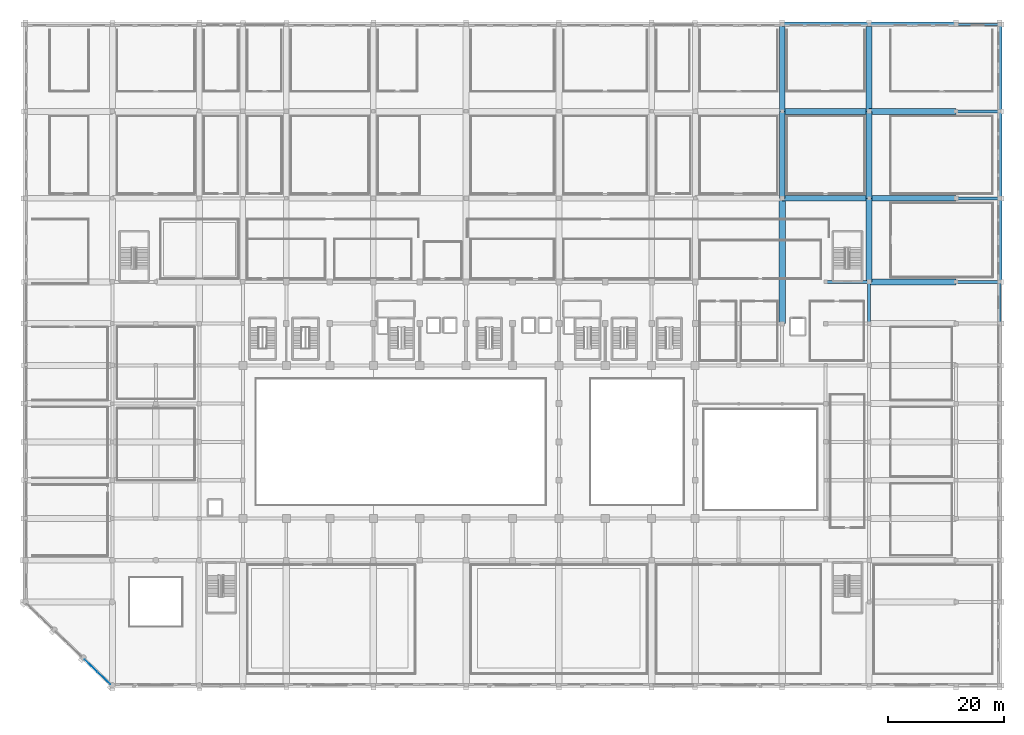
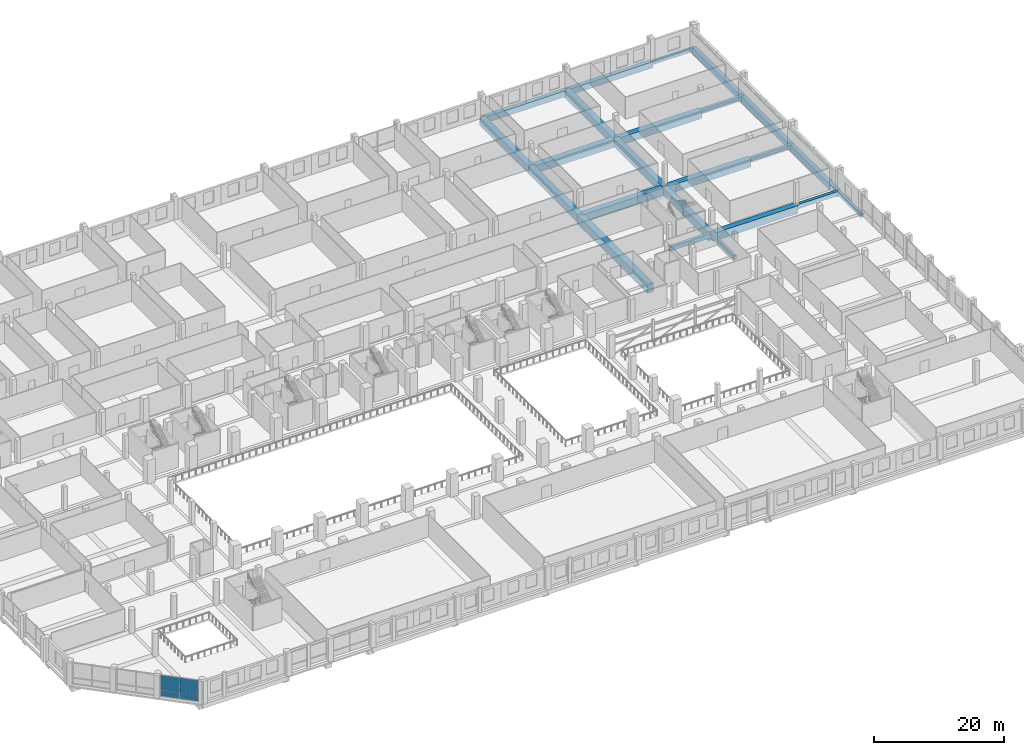
# One storey, part 36 of 64: 23 beams, 3 plates, 1 element without a shape of its own.
"""IFC4 building model written with IfcOpenShell, lengths in metres."""

from ifc_helpers import new_model, si_unit, direction, frame, origin, origin_2d, place, context, subcontext, project, spatial, rectangle, extrude, material, layer, layer_set, material_profile, profile_set, type_object, element, aggregate, save


model = new_model("IFC4")

# Units and contexts
model_context = context("Model", 3, precision=1e-05, world=origin(), true_north=direction((0.0, 1.0)))
body_context = subcontext(model_context, "Body", "Model", "MODEL_VIEW")
ifc_project = project(units=[si_unit("LENGTHUNIT", "METRE"), si_unit("AREAUNIT", "SQUARE_METRE"), si_unit("VOLUMEUNIT", "CUBIC_METRE"), si_unit("PLANEANGLEUNIT", "RADIAN"), si_unit("MASSUNIT", "GRAM", prefix="KILO")], contexts=[model_context])

# Site, building, storey
site_placement = place(None, origin())
site = spatial("IfcSite", under=ifc_project, at=site_placement, CompositionType="ELEMENT")
building_placement = place(site_placement, origin())
building = spatial("IfcBuilding", under=site, at=building_placement, Name="Akrevak Sports Hall", CompositionType="ELEMENT")
storey_placement = place(building_placement, frame((0.0, 0.0, 4.60009765625)))
storey = spatial("IfcBuildingStorey", under=building, at=storey_placement, Name="L01", CompositionType="ELEMENT", Elevation=4.60009765625)

# Beams
ifc_material_1 = material(Name="Concrete C50/60", Category="concrete")
ifc_material_profile_1 = material_profile(ifc_material_1, rectangle(XDim=1.0, YDim=1.449951171875, at=origin_2d()), Name="BM 1000x1450", Category="concrete")
ifc_profile_set_1 = profile_set([ifc_material_profile_1], Name="Concrete C50/60")
beam_type_1 = type_object("IfcBeamType", Name="STR-BM-LG1000x1450", PredefinedType="BEAM", material=ifc_profile_set_1)
for number, where, z_axis, x_axis, name in (
    (1, (145.5, 69.60009765625, -0.72509765625), (1.0, 0.0, 0.0), (0.0, 1.0, 0.0), "Girder K/20-22 (L01)"),
    (2, (130.5, 84.0, -0.72509765625), (1.0, 0.0, 0.0), (0.0, 1.0, 0.0), "Girder M/18-20 (L01)"),
    (3, (145.5, 84.0, -0.72509765625), (1.0, 0.0, 0.0), (0.0, 1.0, 0.0), "Girder M/20-22 (L01)"),
    (4, (130.5, 99.0, -0.72509765625), (1.0, 0.0, 0.0), (0.0, 1.0, 0.0), "Girder O/18-20 (L01)"),
    (5, (145.5, 99.0, -0.72509765625), (1.0, 0.0, 0.0), (0.0, 1.0, 0.0), "Girder O/20-22 (L01)"),
    (6, (130.5, 84.0, -0.72509765625), (0.0, 1.0, 0.0), (-1.0, 0.0, 0.0), "Girder 18/M-O (L01)"),
    (7, (130.5, 99.0, -0.72509765625), (0.0, 1.0, 0.0), (-1.0, 0.0, 0.0), "Girder 18/O-Q (L01)"),
):
    element("IfcBeam", number, at=place(storey_placement, frame(where, z_axis=z_axis, x_axis=x_axis)), inside=storey, type_object=beam_type_1, Name=name, PredefinedType="BEAM", context=body_context, shape_type="SweptSolid", body=[
        extrude(rectangle(XDim=1.0, YDim=1.449951171875, at=origin_2d()), origin(), (0.0, 0.0, 1.0), 15.0),
    ])
beam_1_placement = place(storey_placement, frame((145.5, 69.60009765625, -0.72509765625), z_axis=(0.0, 1.0, 0.0), x_axis=(-1.0, 0.0, 0.0)))
element("IfcBeam", 8, at=beam_1_placement, inside=storey, type_object=beam_type_1, Name="Girder 20/K-M (L01)", PredefinedType="BEAM", context=body_context, shape_type="SweptSolid", body=[
    extrude(rectangle(XDim=1.0, YDim=1.449951171875, at=origin_2d()), origin(), (0.0, 0.0, 1.0), 14.39990234375),
])
for number, where, z_axis, x_axis, name in (
    (9, (145.5, 84.0, -0.72509765625), (0.0, 1.0, 0.0), (-1.0, 0.0, 0.0), "Girder 20/M-O (L01)"),
    (10, (145.5, 99.0, -0.72509765625), (0.0, 1.0, 0.0), (-1.0, 0.0, 0.0), "Girder 20/O-Q (L01)"),
):
    element("IfcBeam", number, at=place(storey_placement, frame(where, z_axis=z_axis, x_axis=x_axis)), inside=storey, type_object=beam_type_1, Name=name, PredefinedType="BEAM", context=body_context, shape_type="SweptSolid", body=[
        extrude(rectangle(XDim=1.0, YDim=1.449951171875, at=origin_2d()), origin(), (0.0, 0.0, 1.0), 15.0),
    ])
ifc_material_profile_2 = material_profile(ifc_material_1, rectangle(XDim=1.10009765625, YDim=1.64990234375, at=origin_2d()), Name="BM 1100x1650", Category="concrete")
ifc_profile_set_2 = profile_set([ifc_material_profile_2], Name="Concrete C50/60")
beam_type_2 = type_object("IfcBeamType", Name="STR-BM-LG1100x1650", PredefinedType="BEAM", material=ifc_profile_set_2)
beam_2_placement = place(storey_placement, frame((130.5, 62.39990234375, -0.8251953125), z_axis=(0.0, 1.0, 0.0), x_axis=(-1.0, 0.0, 0.0)))
element("IfcBeam", 11, at=beam_2_placement, inside=storey, type_object=beam_type_2, Name="Girder 18/J-M (L01)", PredefinedType="BEAM", context=body_context, shape_type="SweptSolid", body=[
    extrude(rectangle(XDim=1.10009765625, YDim=1.64990234375, at=origin_2d()), origin(), (0.0, 0.0, 1.0), 21.60009765625),
])
ifc_material_2 = material(Name="Concrete C40/50", Category="concrete")
ifc_material_profile_3 = material_profile(ifc_material_2, rectangle(XDim=0.5, YDim=0.75, at=origin_2d()), Name="BM 500x750", Category="concrete")
ifc_profile_set_3 = profile_set([ifc_material_profile_3], Name="Concrete C40/50")
beam_type_3 = type_object("IfcBeamType", Name="STR-BM-RC500x750", PredefinedType="BEAM", material=ifc_profile_set_3)
for number, where, z_axis, x_axis, name in (
    (12, (145.5, 62.39990234375, -0.375), (0.0, 1.0, 0.0), (-1.0, 0.0, 0.0), "Girder 20/J-K (L01)"),
    (13, (168.0, 62.39990234375, -0.375), (0.0, 1.0, 0.0), (-1.0, 0.0, 0.0), "Girder 23/J-K (L01)"),
):
    element("IfcBeam", number, at=place(storey_placement, frame(where, z_axis=z_axis, x_axis=x_axis)), inside=storey, type_object=beam_type_3, Name=name, PredefinedType="BEAM", context=body_context, shape_type="SweptSolid", body=[
        extrude(rectangle(XDim=0.5, YDim=0.75, at=origin_2d()), origin(), (0.0, 0.0, 1.0), 7.2001953125),
    ])
ifc_material_profile_4 = material_profile(ifc_material_2, rectangle(XDim=0.550048828125, YDim=0.800048828125, at=origin_2d()), Name="BM 550x800", Category="concrete")
ifc_profile_set_4 = profile_set([ifc_material_profile_4], Name="Concrete C40/50")
beam_type_4 = type_object("IfcBeamType", Name="STR-BM-RC550x800", PredefinedType="BEAM", material=ifc_profile_set_4)
for number, where, z_axis, x_axis, name in (
    (14, (138.0, 69.60009765625, -0.400146484375), (1.0, 0.0, 0.0), (0.0, 1.0, 0.0), "Girder K/19-20 (L01)"),
    (15, (160.5, 69.60009765625, -0.400146484375), (1.0, 0.0, 0.0), (0.0, 1.0, 0.0), "Girder K/22-23 (L01)"),
    (16, (160.5, 84.0, -0.400146484375), (1.0, 0.0, 0.0), (0.0, 1.0, 0.0), "Girder M/22-23 (L01)"),
    (17, (160.5, 99.0, -0.400146484375), (1.0, 0.0, 0.0), (0.0, 1.0, 0.0), "Girder O/22-23 (L01)"),
):
    element("IfcBeam", number, at=place(storey_placement, frame(where, z_axis=z_axis, x_axis=x_axis)), inside=storey, type_object=beam_type_4, Name=name, PredefinedType="BEAM", context=body_context, shape_type="SweptSolid", body=[
        extrude(rectangle(XDim=0.550048828125, YDim=0.800048828125, at=origin_2d()), origin(), (0.0, 0.0, 1.0), 7.5),
    ])
ifc_material_profile_5 = material_profile(ifc_material_1, rectangle(XDim=0.75, YDim=1.14990234375, at=origin_2d()), Name="SPD 750x1150", Category="concrete")
ifc_profile_set_5 = profile_set([ifc_material_profile_5], Name="Concrete C50/60")
beam_type_5 = type_object("IfcBeamType", Name="STR-SPD-LSP750x1150", PredefinedType="SPANDREL", material=ifc_profile_set_5)
for number, where, z_axis, x_axis, name in (
    (18, (130.5, 114.0, -0.5751953125), (1.0, 0.0, 0.0), (0.0, 1.0, 0.0), "Girder Q/18-20 (L01)"),
    (19, (145.5, 114.0, -0.5751953125), (1.0, 0.0, 0.0), (0.0, 1.0, 0.0), "Girder Q/20-22 (L01)"),
):
    element("IfcBeam", number, at=place(storey_placement, frame(where, z_axis=z_axis, x_axis=x_axis)), inside=storey, type_object=beam_type_5, Name=name, PredefinedType="SPANDREL", context=body_context, shape_type="SweptSolid", body=[
        extrude(rectangle(XDim=0.75, YDim=1.14990234375, at=origin_2d()), origin(), (0.0, 0.0, 1.0), 15.0),
    ])
beam_3_placement = place(storey_placement, frame((168.0, 69.60009765625, -0.5751953125), z_axis=(0.0, 1.0, 0.0), x_axis=(-1.0, 0.0, 0.0)))
element("IfcBeam", 20, at=beam_3_placement, inside=storey, type_object=beam_type_5, Name="Girder 23/K-M (L01)", PredefinedType="SPANDREL", context=body_context, shape_type="SweptSolid", body=[
    extrude(rectangle(XDim=0.75, YDim=1.14990234375, at=origin_2d()), origin(), (0.0, 0.0, 1.0), 14.39990234375),
])
for number, where, z_axis, x_axis, name in (
    (21, (168.0, 84.0, -0.5751953125), (0.0, 1.0, 0.0), (-1.0, 0.0, 0.0), "Girder 23/M-O (L01)"),
    (22, (168.0, 99.0, -0.5751953125), (0.0, 1.0, 0.0), (-1.0, 0.0, 0.0), "Girder 23/O-Q (L01)"),
):
    element("IfcBeam", number, at=place(storey_placement, frame(where, z_axis=z_axis, x_axis=x_axis)), inside=storey, type_object=beam_type_5, Name=name, PredefinedType="SPANDREL", context=body_context, shape_type="SweptSolid", body=[
        extrude(rectangle(XDim=0.75, YDim=1.14990234375, at=origin_2d()), origin(), (0.0, 0.0, 1.0), 15.0),
    ])
ifc_material_profile_6 = material_profile(ifc_material_2, rectangle(XDim=0.35009765625, YDim=0.75, at=origin_2d()), Name="SPD 350x750", Category="concrete")
ifc_profile_set_6 = profile_set([ifc_material_profile_6], Name="Concrete C40/50")
beam_type_6 = type_object("IfcBeamType", Name="STR-SPD-RC350x750", PredefinedType="SPANDREL", material=ifc_profile_set_6)
beam_4_placement = place(storey_placement, frame((160.5, 114.0, -0.375), z_axis=(1.0, 0.0, 0.0), x_axis=(0.0, 1.0, 0.0)))
element("IfcBeam", 23, at=beam_4_placement, inside=storey, type_object=beam_type_6, Name="Girder Q/22-23 (L01)", PredefinedType="SPANDREL", context=body_context, shape_type="SweptSolid", body=[
    extrude(rectangle(XDim=0.35009765625, YDim=0.75, at=origin_2d()), origin(), (0.0, 0.0, 1.0), 7.5),
])

# Curtain wall, plates
ifc_material_3 = material(Name="Anodized Bronze Aluminium & Low-E Glass", Category="aluminium")
curtain_wall_type = type_object("IfcCurtainWallType", Name="ARC-CW-POD-64x44", PredefinedType="NOTDEFINED", material=ifc_material_3)
curtain_wall_placement = place(storey_placement, origin())
curtain_wall = element("IfcCurtainWall", 24, at=curtain_wall_placement, inside=storey, type_object=curtain_wall_type, Name="Curtain Wall CW-L01-CH1", PredefinedType="NOTDEFINED")
ifc_material_4 = material(Name="Double Low-E Tempered Glass", Category="glass")
ifc_layer_1 = layer(ifc_material_4, 0.035888671875, Name="Double Low-E Tempered Glass")
ifc_layer_set_1 = layer_set([ifc_layer_1], Name="Double Low-E Tempered Glass")
plate_type_1 = type_object("IfcPlateType", Name="ARC-CWP-GLZ-36", PredefinedType="CURTAIN_PANEL", material=ifc_layer_set_1)
plate_1_placement = place(storey_placement, frame((13.513671875, 1.260498046875, 1.14990234375), z_axis=(0.0, 0.0, 1.0), x_axis=(-0.721385636978, 0.692533582407, 0.0)))
plate_1 = element("IfcPlate", 25, at=plate_1_placement, type_object=plate_type_1, Name="Vision Glass Panel CW-L01-CH1-G1", PredefinedType="CURTAIN_PANEL", context=body_context, shape_type="SweptSolid", body=[
    extrude(rectangle(XDim=3.04052734375, YDim=0.035888671875, at=origin_2d()), origin(), (0.0, 0.0, 1.0), 2.7900390625),
])
plate_2_placement = place(storey_placement, frame((11.3203125, 3.3662109375, 1.14990234375), z_axis=(0.0, 0.0, 1.0), x_axis=(-0.721385636978, 0.692533582407, 0.0)))
plate_2 = element("IfcPlate", 26, at=plate_2_placement, type_object=plate_type_1, Name="Vision Glass Panel CW-L01-CH1-G2", PredefinedType="CURTAIN_PANEL", context=body_context, shape_type="SweptSolid", body=[
    extrude(rectangle(XDim=3.04052734375, YDim=0.035888671875, at=origin_2d()), origin(), (0.0, 0.0, 1.0), 2.7900390625),
])
ifc_material_5 = material(Name="Insulated Bronze Spandrel Panel", Category="aluminium")
ifc_layer_2 = layer(ifc_material_5, 0.0439453125, Name="Insulated Bronze Spandrel Panel")
ifc_layer_set_2 = layer_set([ifc_layer_2], Name="Insulated Bronze Spandrel Panel")
plate_type_2 = type_object("IfcPlateType", Name="ARC-CWP-SPD-44", PredefinedType="CURTAIN_PANEL", material=ifc_layer_set_2)
plate_3_placement = place(storey_placement, frame((12.4169921875, 2.3134765625, 0.0), z_axis=(0.0, 0.0, 1.0), x_axis=(-0.721385636978, 0.692533582407, 0.0)))
plate_3 = element("IfcPlate", 27, at=plate_3_placement, type_object=plate_type_2, Name="Insulated Spandrel Panel CW-L01-CH1-S1", PredefinedType="CURTAIN_PANEL", context=body_context, shape_type="SweptSolid", body=[
    extrude(rectangle(XDim=6.0810546875, YDim=0.0439453125, at=origin_2d()), origin(), (0.0, 0.0, 1.0), 1.14990234375),
])
aggregate(curtain_wall, [plate_1, plate_2, plate_3])

save(model, "model.ifc")
